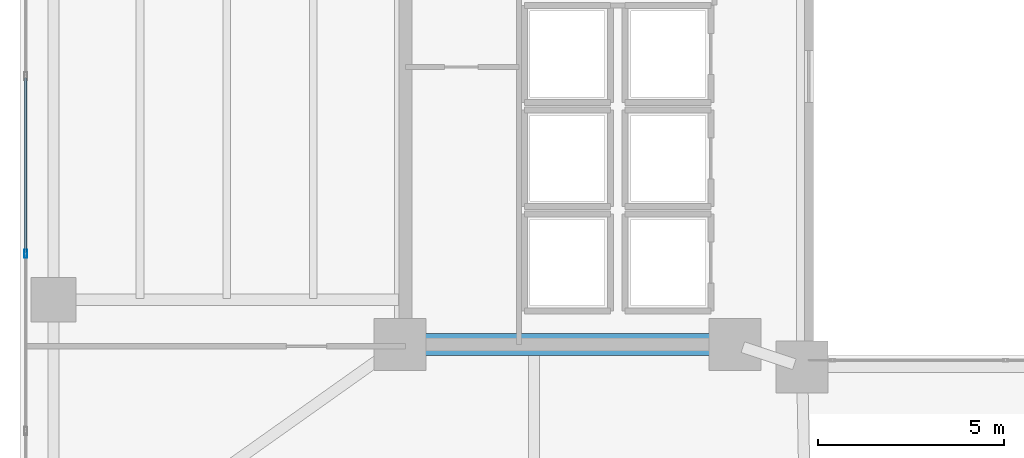
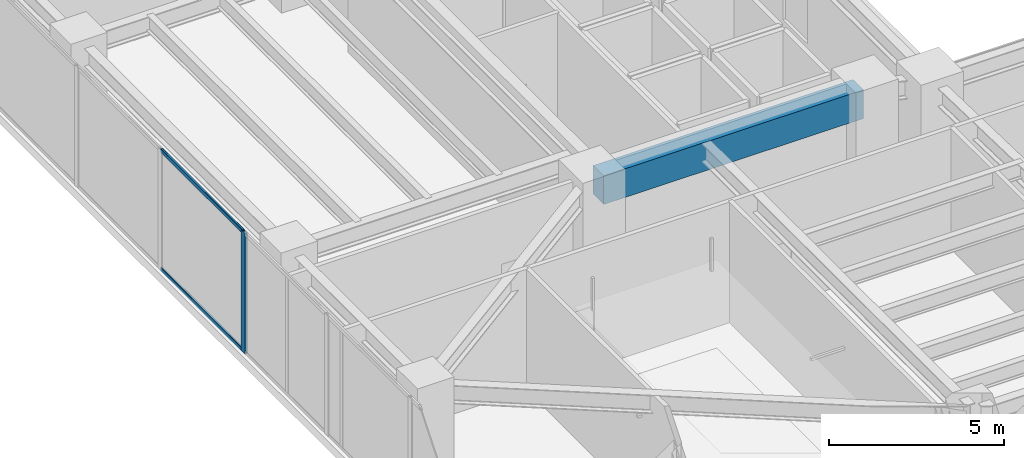
# One storey, part 6 of 40: 3 members, 1 beam, 1 element without a shape of its own.
"""IFC4 building model written with IfcOpenShell, lengths in metres."""

from ifc_helpers import new_model, si_unit, direction, frame, origin, origin_2d, place, context, subcontext, project, spatial, rectangle, hollow_rectangle, extrude, material, layer, layer_set, material_profile, profile_set, type_object, element, aggregate, save


model = new_model("IFC4")

# Units and contexts
model_context = context("Model", 3, precision=1e-05, world=origin(), true_north=direction((0.0, 1.0)))
body_context = subcontext(model_context, "Body", "Model", "MODEL_VIEW")
ifc_project = project(units=[si_unit("LENGTHUNIT", "METRE"), si_unit("AREAUNIT", "SQUARE_METRE"), si_unit("VOLUMEUNIT", "CUBIC_METRE"), si_unit("PLANEANGLEUNIT", "RADIAN"), si_unit("MASSUNIT", "GRAM", prefix="KILO")], contexts=[model_context])

# Site, building, storey
site_placement = place(None, origin())
site = spatial("IfcSite", under=ifc_project, at=site_placement, CompositionType="ELEMENT")
building_placement = place(site_placement, origin())
building = spatial("IfcBuilding", under=site, at=building_placement, Name="Tarnavaz Court Tower", CompositionType="ELEMENT")
storey_placement = place(building_placement, frame((0.0, 0.0, 64.199951171875)))
storey = spatial("IfcBuildingStorey", under=building, at=storey_placement, Name="L17", CompositionType="ELEMENT", Elevation=64.199951171875)

# Beam
ifc_material_1 = material(Name="Concrete C60/75", Category="concrete")
ifc_material_profile_1 = material_profile(ifc_material_1, rectangle(XDim=0.60009765625, YDim=1.0, at=origin_2d()), Name="RC 600X1000")
ifc_profile_set_1 = profile_set([ifc_material_profile_1], Name="Concrete C60/75")
beam_type = type_object("IfcBeamType", Name="BM-CB1000", PredefinedType="LINTEL", material=ifc_profile_set_1)
beam_placement = place(storey_placement, frame((-18.3798828125, -7.199951171875, 3.699951171875), z_axis=(1.0, 0.0, 0.0), x_axis=(0.0, 1.0, 0.0)))
element("IfcBeam", 1, at=beam_placement, inside=storey, type_object=beam_type, Name="L17 Beam IN-CW-SO-CW-SI", PredefinedType="LINTEL", context=body_context, shape_type="SweptSolid", body=[
    extrude(rectangle(XDim=0.60009765625, YDim=1.0, at=origin_2d()), origin(), (0.0, 0.0, 1.0), 8.559814453125),
])

# Curtain wall, members
ifc_material_2 = material(Name="Anodised Aluminium 6063-T6 and Solar Low-E Glazing", Category="aluminium")
ifc_layer = layer(ifc_material_2, 0.199951171875)
ifc_layer_set = layer_set([ifc_layer], Name="Anodised Aluminium 6063-T6 and Solar Low-E Glazing")
curtain_wall_type = type_object("IfcCurtainWallType", Name="CW-SYS-05", PredefinedType="NOTDEFINED", material=ifc_layer_set)
curtain_wall_placement = place(storey_placement, origin())
curtain_wall = element("IfcCurtainWall", 2, at=curtain_wall_placement, inside=storey, type_object=curtain_wall_type, Name="L17 Sky-Portal Curtain Wall 2", PredefinedType="NOTDEFINED")
ifc_material_3 = material(Name="Anodised Aluminium 6063-T6", Category="aluminium")
ifc_material_profile_2 = material_profile(ifc_material_3, hollow_rectangle(XDim=0.0849609375, YDim=0.219970703125, WallThickness=0.006103515625, InnerFilletRadius=0.006103515625, OuterFilletRadius=0.011962890625, at=origin_2d()), Name="ALU RHS 220X85X6")
ifc_profile_set_2 = profile_set([ifc_material_profile_2], Name="Anodised Aluminium 6063-T6")
member_type_1 = type_object("IfcMemberType", Name="CW-MUL-220", PredefinedType="MULLION", material=ifc_profile_set_2)
member_1_placement = place(storey_placement, frame((-28.64990234375, -4.762451171875, 0.0), z_axis=(0.0, 0.0, 1.0), x_axis=(-1.0, 0.0, 0.0)))
member_1 = element("IfcMember", 3, at=member_1_placement, type_object=member_type_1, Name="CW mullion 4", PredefinedType="MULLION", context=body_context, shape_type="SweptSolid", body=[
    extrude(hollow_rectangle(XDim=0.0849609375, YDim=0.219970703125, WallThickness=0.006103515625, InnerFilletRadius=0.006103515625, OuterFilletRadius=0.011962890625, at=origin_2d()), origin(), (0.0, 0.0, 1.0), 4.199951171875),
])
ifc_material_profile_3 = material_profile(ifc_material_3, hollow_rectangle(XDim=0.06494140625, YDim=0.139892578125, WallThickness=0.00390625, InnerFilletRadius=0.00390625, OuterFilletRadius=0.008056640625, at=origin_2d()), Name="ALU RHS 140X65X4")
ifc_profile_set_3 = profile_set([ifc_material_profile_3], Name="Anodised Aluminium 6063-T6")
member_type_2 = type_object("IfcMemberType", Name="CW-TRN-140", PredefinedType="USERDEFINED", material=ifc_profile_set_3)
member_2_placement = place(storey_placement, frame((-28.64990234375, -4.719970703125, 0.032470703125), z_axis=(0.0, 1.0, 0.0), x_axis=(-1.0, 0.0, 0.0)))
member_2 = element("IfcMember", 4, at=member_2_placement, type_object=member_type_2, Name="CW transom 4.1", ObjectType="TRANSOM", PredefinedType="USERDEFINED", context=body_context, shape_type="SweptSolid", body=[
    extrude(hollow_rectangle(XDim=0.06494140625, YDim=0.139892578125, WallThickness=0.00390625, InnerFilletRadius=0.00390625, OuterFilletRadius=0.008056640625, at=origin_2d()), origin(), (0.0, 0.0, 1.0), 4.677490234375),
])
member_3_placement = place(storey_placement, frame((-28.64990234375, -4.719970703125, 4.16748046875), z_axis=(0.0, 1.0, 0.0), x_axis=(-1.0, 0.0, 0.0)))
member_3 = element("IfcMember", 5, at=member_3_placement, type_object=member_type_2, Name="CW transom 4.2", ObjectType="TRANSOM", PredefinedType="USERDEFINED", context=body_context, shape_type="SweptSolid", body=[
    extrude(hollow_rectangle(XDim=0.06494140625, YDim=0.139892578125, WallThickness=0.00390625, InnerFilletRadius=0.00390625, OuterFilletRadius=0.008056640625, at=origin_2d()), origin(), (0.0, 0.0, 1.0), 4.677490234375),
])
aggregate(curtain_wall, [member_1, member_2, member_3])

save(model, "model.ifc")
